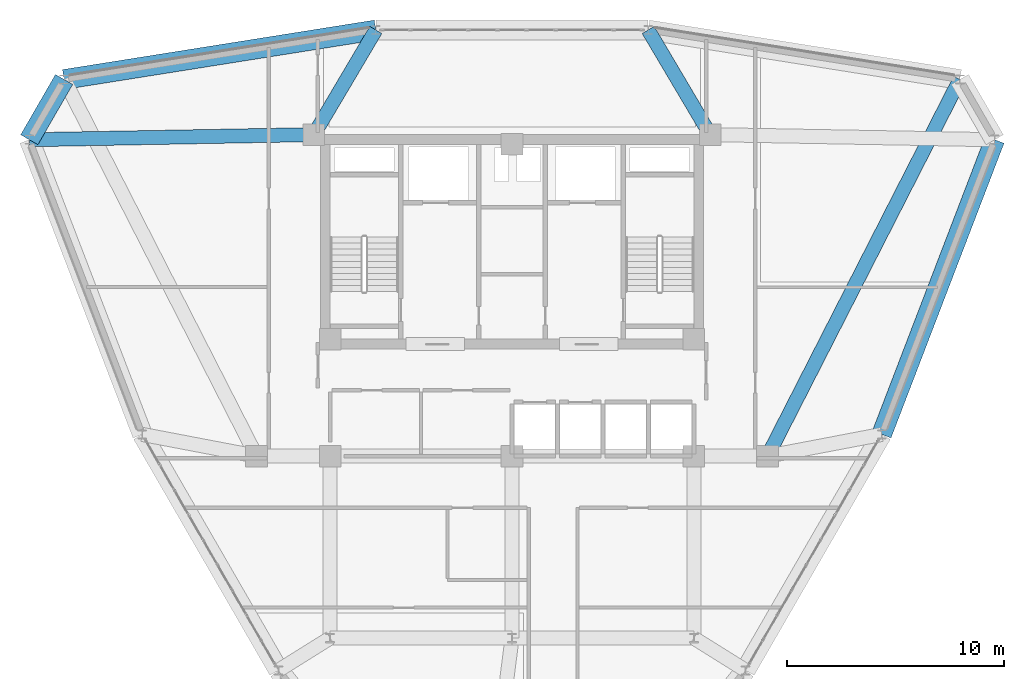
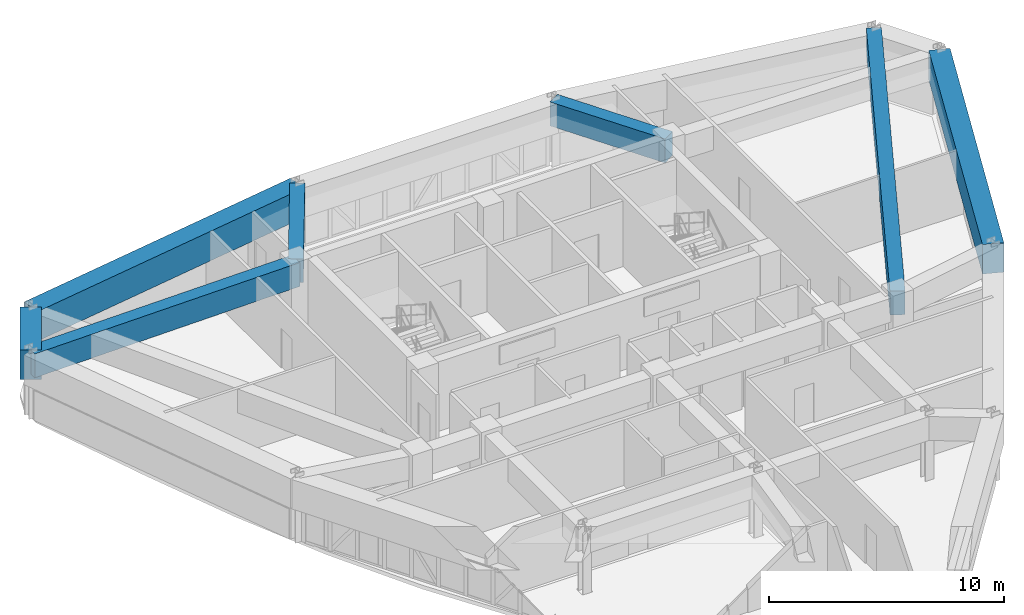
# One storey, part 7 of 13: 7 beams.
"""IFC4 building model written with IfcOpenShell, lengths in metres."""

from ifc_helpers import new_model, si_unit, derived_unit, direction, frame, origin, origin_2d, place, context, subcontext, project, spatial, rectangle, extrude, source, transform, mapped, material, material_profile, profile_set, type_object, element, save


model = new_model("IFC4")

# Units and contexts
model_context = context("Model", 3, precision=1e-05, world=origin(), true_north=direction((0.0, 1.0)))
body_context = subcontext(model_context, "Body", "Model", "MODEL_VIEW")
ifc_project = project(units=[si_unit("LENGTHUNIT", "METRE"), si_unit("AREAUNIT", "SQUARE_METRE"), si_unit("VOLUMEUNIT", "CUBIC_METRE"), si_unit("PLANEANGLEUNIT", "RADIAN"), si_unit("MASSUNIT", "GRAM", prefix="KILO"), derived_unit("THERMALTRANSMITTANCEUNIT", [(si_unit("POWERUNIT", "WATT"), 1), (si_unit("LENGTHUNIT", "METRE"), -2), (si_unit("THERMODYNAMICTEMPERATUREUNIT", "KELVIN"), -1)])], contexts=[model_context])

# Site, building, storey
site_placement = place(None, origin())
site = spatial("IfcSite", under=ifc_project, at=site_placement, CompositionType="ELEMENT")
building_placement = place(site_placement, origin())
building = spatial("IfcBuilding", under=site, at=building_placement, Name="Korsvarv Bourse and Concert Hall", CompositionType="ELEMENT")
storey_placement = place(building_placement, frame((0.0, 0.0, 179.39990234375)))
storey = spatial("IfcBuildingStorey", under=building, at=storey_placement, Name="L46", CompositionType="ELEMENT", Elevation=179.39990234375)

# Beams
ifc_material = material(Name="Concrete C50/60", Category="concrete")
ifc_material_profile_1 = material_profile(ifc_material, rectangle(XDim=0.919921875, YDim=1.530029296875, at=origin_2d()), Name="RC-BM 920x1530")
ifc_profile_set_1 = profile_set([ifc_material_profile_1], Name="Concrete C50/60")
beam_type_1 = type_object("IfcBeamType", Name="BM-TR-154", PredefinedType="BEAM", material=ifc_profile_set_1)
shared_shape_1 = source(origin(), body_context, "Body", "SweptSolid", [
    extrude(rectangle(XDim=0.919921875, YDim=1.530029296875, at=origin_2d()), origin(), (0.0, 0.0, 1.0), 3.21533203125),
])
beam_1_placement = place(storey_placement, frame((15.3173828125, 49.797607421875, 2.635009765625), z_axis=(-0.49998535512, -0.866033858845, 0.0), x_axis=(0.866033858845, -0.49998535512, 0.0)))
element("IfcBeam", 1, at=beam_1_placement, inside=storey, type_object=beam_type_1, Name="L46 beam B-TR6", PredefinedType="BEAM", context=body_context, shape_type="MappedRepresentation", body=[
    mapped(shared_shape_1, transform((0.0, 0.0, 0.0), scale=1.0)),
])
shared_shape_2 = source(origin(), body_context, "Body", "SweptSolid", [
    extrude(rectangle(XDim=0.919921875, YDim=1.530029296875, at=origin_2d()), origin(), (0.0, 0.0, 1.0), 14.573486328125),
])
for number, where, z_axis, x_axis, name in (
    (2, (29.710693359375, 52.082275390625, 2.635009765625), (-0.987635363781, -0.156768581702, 0.0), (0.156768581702, -0.987635363781, 0.0), "L46 beam B-TR6"),
    (3, (53.072509765625, 33.405517578125, 2.635009765625), (0.358031436139, 0.933709532315, 0.0), (-0.933709532315, 0.358031436139, 0.0), "L46 beam B-TR6"),
):
    element("IfcBeam", number, at=place(storey_placement, frame(where, z_axis=z_axis, x_axis=x_axis)), inside=storey, type_object=beam_type_1, Name=name, PredefinedType="BEAM", context=body_context, shape_type="MappedRepresentation", body=[
        mapped(shared_shape_2, transform((0.0, 0.0, 0.0), scale=1.0)),
    ])
ifc_material_profile_2 = material_profile(ifc_material, rectangle(XDim=0.64990234375, YDim=1.239990234375, at=origin_2d()), Name="RC-BM 650x1240")
ifc_profile_set_2 = profile_set([ifc_material_profile_2], Name="Concrete C50/60")
beam_type_2 = type_object("IfcBeamType", Name="BM-TR-SPN", PredefinedType="BEAM", material=ifc_profile_set_2)
shared_shape_3 = source(origin(), body_context, "Body", "SweptSolid", [
    extrude(rectangle(XDim=0.64990234375, YDim=1.239990234375, at=origin_2d()), origin(), (0.0, 0.0, 1.0), 13.142578125),
])
beam_2_placement = place(storey_placement, frame((13.709716796875, 47.012939453125, 2.780029296875), z_axis=(0.999837307824, 0.01803767954, 0.0), x_axis=(-0.01803767954, 0.999837307824, 0.0)))
element("IfcBeam", 4, at=beam_2_placement, inside=storey, type_object=beam_type_2, Name="L46 beam B-TRS", PredefinedType="BEAM", context=body_context, shape_type="MappedRepresentation", body=[
    mapped(shared_shape_3, transform((0.0, 0.0, 0.0), scale=1.0)),
])
shared_shape_4 = source(origin(), body_context, "Body", "SweptSolid", [
    extrude(rectangle(XDim=0.64990234375, YDim=1.239990234375, at=origin_2d()), origin(), (0.0, 0.0, 1.0), 19.5341796875),
])
beam_3_placement = place(storey_placement, frame((56.6826171875, 49.797607421875, 2.780029296875), z_axis=(-0.454721683444, -0.890633589421, 0.0), x_axis=(0.890633589421, -0.454721683444, 0.0)))
element("IfcBeam", 5, at=beam_3_placement, inside=storey, type_object=beam_type_2, Name="L46 beam B-TRS", PredefinedType="BEAM", context=body_context, shape_type="MappedRepresentation", body=[
    mapped(shared_shape_4, transform((0.0, 0.0, 0.0), scale=1.0)),
])
shared_shape_5 = source(origin(), body_context, "Body", "SweptSolid", [
    extrude(rectangle(XDim=0.64990234375, YDim=1.239990234375, at=origin_2d()), origin(), (0.0, 0.0, 1.0), 5.615478515625),
])
for number, where, z_axis, x_axis, name in (
    (6, (42.289306640625, 52.082275390625, 2.780029296875), (0.509410257358, -0.860523787991, 0.0), (0.860523787991, 0.509410257358, 0.0), "L46 beam B-TRS"),
    (7, (29.710693359375, 52.082275390625, 2.780029296875), (-0.509410257358, -0.860523787991, 0.0), (0.860523787991, -0.509410257358, 0.0), "L46 beam B-TRS"),
):
    element("IfcBeam", number, at=place(storey_placement, frame(where, z_axis=z_axis, x_axis=x_axis)), inside=storey, type_object=beam_type_2, Name=name, PredefinedType="BEAM", context=body_context, shape_type="MappedRepresentation", body=[
        mapped(shared_shape_5, transform((0.0, 0.0, 0.0), scale=1.0)),
    ])

save(model, "model.ifc")
